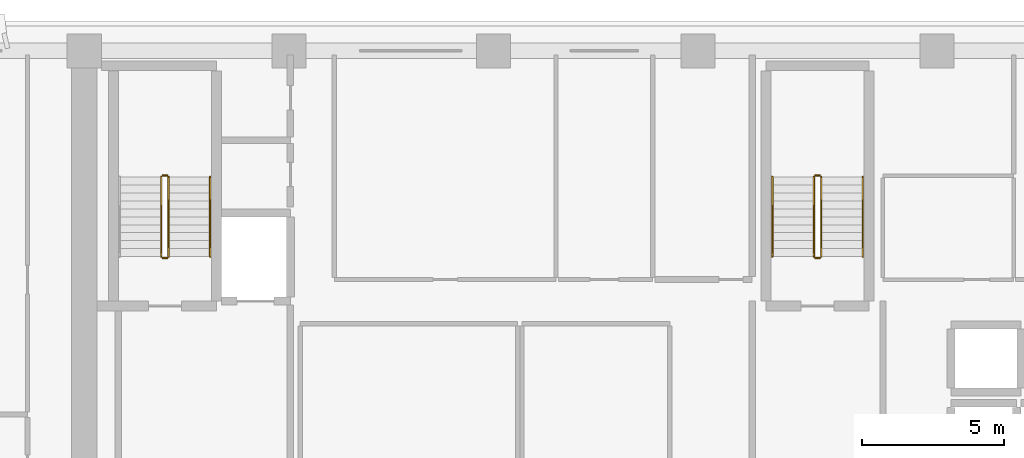
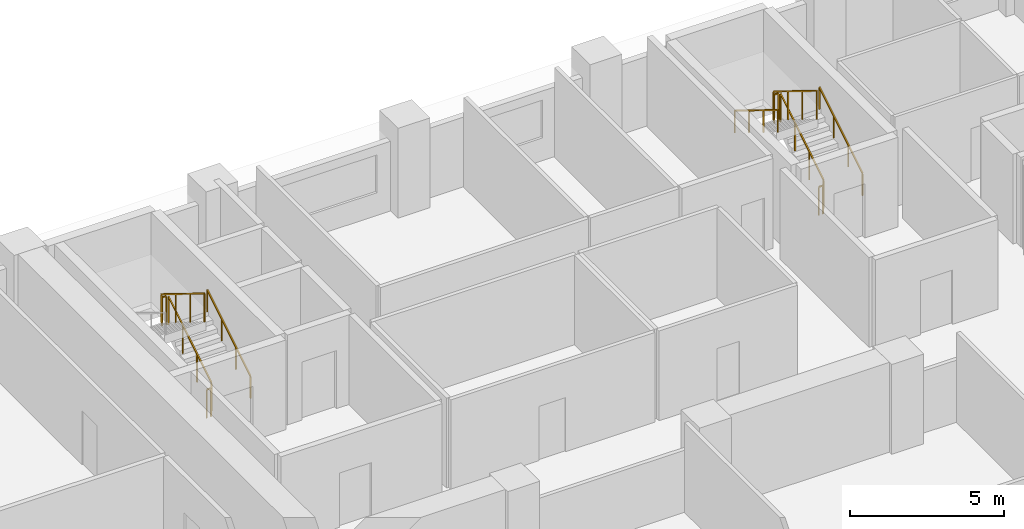
# One storey, part 12 of 14: 11 railings.
"""IFC4 building model written with IfcOpenShell, lengths in metres."""

import ifcopenshell
import ifcopenshell.guid

model = None  # the IFC model being written
_history = None  # IfcOwnerHistory: only IFC2X3 demands one
_inside = {}  # id of a spatial element -> (the spatial element, [elements in it])
_under = {}  # id of a project, library or spatial element -> (it, [spatial elements below it])
_declared = {}  # id of a project -> (the project, [libraries it declares])
_typed = {}  # id of a type object -> (the type object, [elements of that type])
_made_of = {}  # id of a material, layer set ... -> (it, [elements and type objects made of it])


def new_model(schema):
    """Start an empty IFC model of exactly this schema.

    Asked for "IFC4X3", IfcOpenShell would pick the latest addendum, in which some entities
    have other attributes; the version numbers below select the first issue.
    IFC2X3 requires an IfcOwnerHistory on every rooted entity: one is made here for all.
    """
    global model, _history
    if schema == "IFC4X3":
        model = ifcopenshell.file(schema_version=(4, 3, 0, 0))
    else:
        model = ifcopenshell.file(schema=schema)
    _inside.clear()
    _under.clear()
    _declared.clear()
    _typed.clear()
    _made_of.clear()
    _history = None
    if model.schema == "IFC2X3":
        org = make("IfcOrganization", Name="unknown")
        user = make(
            "IfcPersonAndOrganization",
            ThePerson=make("IfcPerson", FamilyName="unknown"),
            TheOrganization=org,
        )
        app = make(
            "IfcApplication",
            ApplicationDeveloper=org,
            Version="unknown",
            ApplicationFullName="unknown",
            ApplicationIdentifier="unknown",
        )
        _history = make(
            "IfcOwnerHistory",
            OwningUser=user,
            OwningApplication=app,
            ChangeAction="ADDED",
            CreationDate=0,
        )
    return model


def make(cls, **values):
    """One entity of the class cls with the attributes given. An attribute that is None is left unset."""
    return model.create_entity(
        cls, **{name: value for name, value in values.items() if value is not None}
    )


def rooted(cls, **values):
    """An entity with a GlobalId (a new one), such as an element, a storey or a relation."""
    return make(cls, GlobalId=ifcopenshell.guid.new(), OwnerHistory=_history, **values)


def si_unit(unit_type, name, prefix=None):
    """IfcSIUnit, for example si_unit("LENGTHUNIT", "METRE", prefix="MILLI")."""
    return make("IfcSIUnit", UnitType=unit_type, Prefix=prefix, Name=name)


def assignment(units):
    """IfcUnitAssignment: the units of a project."""
    return None if units is None else make("IfcUnitAssignment", Units=units)


def point(xyz):
    """IfcCartesianPoint."""
    return None if xyz is None else make("IfcCartesianPoint", Coordinates=xyz)


def direction(xyz):
    """IfcDirection."""
    return None if xyz is None else make("IfcDirection", DirectionRatios=xyz)


def frame(location, z_axis=None, x_axis=None):
    """IfcAxis2Placement3D, a coordinate frame: its origin and axes. An axis left out is left unset."""
    return make(
        "IfcAxis2Placement3D",
        Location=point(location),
        Axis=direction(z_axis),
        RefDirection=direction(x_axis),
    )


def frame_2d(location, x_axis=None):
    """IfcAxis2Placement2D, a coordinate frame in the plane: its origin and x axis."""
    return make(
        "IfcAxis2Placement2D", Location=point(location), RefDirection=direction(x_axis)
    )


def origin():
    """The frame at (0, 0, 0) with its axes left unset."""
    return frame((0.0, 0.0, 0.0))


def origin_2d():
    """The frame at (0, 0) in the plane with its x axis left unset."""
    return frame_2d((0.0, 0.0))


def place(relative_to, where):
    """IfcLocalPlacement: puts the frame where relative to a parent placement (None: the world)."""
    return make(
        "IfcLocalPlacement", PlacementRelTo=relative_to, RelativePlacement=where
    )


def context(
    kind, dimensions, precision=None, world=None, true_north=None, identifier=None
):
    """IfcGeometricRepresentationContext, for example the 3D "Model" context."""
    return make(
        "IfcGeometricRepresentationContext",
        ContextIdentifier=identifier,
        ContextType=kind,
        CoordinateSpaceDimension=dimensions,
        Precision=precision,
        WorldCoordinateSystem=world,
        TrueNorth=true_north,
    )


def subcontext(parent, identifier, kind, view, scale=None):
    """IfcGeometricRepresentationSubContext, for example "Body" below "Model"."""
    return make(
        "IfcGeometricRepresentationSubContext",
        ContextIdentifier=identifier,
        ContextType=kind,
        ParentContext=parent,
        TargetScale=scale,
        TargetView=view,
    )


def project(units=None, contexts=None):
    """IfcProject with its units and contexts."""
    return rooted(
        "IfcProject",
        Name="project",
        RepresentationContexts=contexts,
        UnitsInContext=assignment(units),
    )


def spatial(cls, under=None, at=None, **own):
    """A site, building, storey or space (cls), placed at a placement, below another one or the project."""
    s = rooted(cls, ObjectPlacement=at, **own)
    if under is not None:
        _under.setdefault(under.id(), (under, []))[1].append(s)
    return s


def profile(cls, at=None, kind="AREA", **sizes):
    """A parametric profile (cls). Its sizes go by their IFC names, for example OverallWidth=200.0."""
    return make(cls, ProfileType=kind, Position=at, **sizes)


def rectangle(**sizes):
    """IfcRectangleProfileDef."""
    return profile("IfcRectangleProfileDef", **sizes)


def extrude(swept, where, along, depth):
    """IfcExtrudedAreaSolid: the profile swept, set in the frame where, extruded along a direction by depth."""
    return make(
        "IfcExtrudedAreaSolid",
        SweptArea=swept,
        Position=where,
        ExtrudedDirection=direction(along),
        Depth=depth,
    )


def shape(context_of_items, identifier, shape_type, items):
    """IfcShapeRepresentation: the items that make up one representation, for example the "Body"."""
    return make(
        "IfcShapeRepresentation",
        ContextOfItems=context_of_items,
        RepresentationIdentifier=identifier,
        RepresentationType=shape_type,
        Items=items,
    )


def material(Name=None, Category=None):
    """IfcMaterial."""
    return make("IfcMaterial", Name=Name, Category=Category)


def made_of(thing, what):
    """Note that an element or type object is made of a material, layer set ...; save() writes the relation."""
    if what is not None:
        _made_of.setdefault(what.id(), (what, []))[1].append(thing)
    return thing


def type_object(cls, material=None, **own):
    """A type object (cls), such as IfcWallType, which elements share."""
    return made_of(rooted(cls, **own), material)


def element(
    cls,
    number,
    at=None,
    inside=None,
    cuts=None,
    type_object=None,
    material=None,
    context=None,
    identifier="Body",
    shape_type=None,
    held_by="IfcProductDefinitionShape",
    body=None,
    shapes=None,
    **own,
):
    """One element of the class cls, such as IfcWall. Its Tag is "e" and its number.

    at: its placement. inside: the storey or other place that contains it. cuts: it is an
    opening in that element (IfcRelVoidsElement). A single representation is given by context,
    identifier, shape_type and body (its items); several are given by shapes. held_by: the class
    of the entity that holds the representations. save() writes the other relations.
    """
    e = rooted(cls, Tag="e%d" % number, ObjectPlacement=at, **own)
    if body is not None:
        shapes = [shape(context, identifier, shape_type, body)]
    if shapes is not None:
        e.Representation = make(held_by, Representations=shapes)
    if inside is not None:
        _inside.setdefault(inside.id(), (inside, []))[1].append(e)
    if cuts is not None:
        rooted(
            "IfcRelVoidsElement", RelatingBuildingElement=cuts, RelatedOpeningElement=e
        )
    if type_object is not None:
        _typed.setdefault(type_object.id(), (type_object, []))[1].append(e)
    return made_of(e, material)


def aggregate(whole, parts):
    """IfcRelAggregates: a whole, such as a stair, and the parts it consists of."""
    return rooted("IfcRelAggregates", RelatingObject=whole, RelatedObjects=parts)


def save(model, path):
    """Write the relations noted so far, then the file.

    IfcRelAggregates (storeys below a building ...), IfcRelContainedInSpatialStructure (elements
    in a storey), IfcRelDefinesByType, IfcRelAssociatesMaterial and IfcRelDeclares: one each for
    every whole, place, type object, material and project.
    """
    for whole, parts in _under.values():
        aggregate(whole, parts)
    for where, things in _inside.values():
        rooted(
            "IfcRelContainedInSpatialStructure",
            RelatedElements=things,
            RelatingStructure=where,
        )
    for kind, things in _typed.values():
        rooted("IfcRelDefinesByType", RelatedObjects=things, RelatingType=kind)
    for what, things in _made_of.values():
        rooted("IfcRelAssociatesMaterial", RelatedObjects=things, RelatingMaterial=what)
    for by, libraries in _declared.values():
        rooted("IfcRelDeclares", RelatingContext=by, RelatedDefinitions=libraries)
    model.write(path)


model = new_model("IFC4")

# Units and contexts
model_context = context("Model", 3, precision=1e-05, world=origin(), true_north=direction((0.0, 1.0)))
body_context = subcontext(model_context, "Body", "Model", "MODEL_VIEW")
ifc_project = project(units=[si_unit("LENGTHUNIT", "METRE"), si_unit("AREAUNIT", "SQUARE_METRE"), si_unit("VOLUMEUNIT", "CUBIC_METRE"), si_unit("PLANEANGLEUNIT", "RADIAN"), si_unit("MASSUNIT", "GRAM", prefix="KILO")], contexts=[model_context])

# Site, building, storey
site_placement = place(None, origin())
site = spatial("IfcSite", under=ifc_project, at=site_placement, CompositionType="ELEMENT")
building_placement = place(site_placement, origin())
building = spatial("IfcBuilding", under=site, at=building_placement, Name="Kaelvorn Grand Hotel", CompositionType="ELEMENT")
storey_placement = place(building_placement, frame((0.0, 0.0, 161.949951171875)))
storey = spatial("IfcBuildingStorey", under=building, at=storey_placement, Name="L39", CompositionType="ELEMENT", Elevation=161.949951171875)

# Railings
ifc_material = material(Name="Stainless Steel", Category="steel")
railing_type_1 = type_object("IfcRailingType", Name="RL-HANDRAIL-900", PredefinedType="HANDRAIL", material=ifc_material)
for number, where, name in (
    (1, (20.6298828125, 41.760009765625, 0.1728515625), "L39 ST1 stair handrail 1"),
    (2, (43.590087890625, 41.760009765625, 0.1728515625), "L39 ST2 stair handrail 1"),
):
    element("IfcRailing", number, at=place(storey_placement, frame(where)), inside=storey, type_object=railing_type_1, Name=name, PredefinedType="HANDRAIL", context=body_context, shape_type="SweptSolid", body=[
        extrude(rectangle(XDim=0.048095703125, YDim=0.048095703125, at=origin_2d()), frame((0.0, 0.0, 0.8759765625), z_axis=(0.0, 0.851089632645, 0.525020415988), x_axis=(-1.0, 0.0, 0.0)), (0.0, 0.0, 1.0), 3.2900390625),
        extrude(rectangle(XDim=0.0419921875, YDim=0.0419921875, at=origin_2d()), origin(), (0.0, 0.0, 1.0), 0.851806640625),
        extrude(rectangle(XDim=0.0419921875, YDim=0.0419921875, at=origin_2d()), frame((0.0, 0.933349609375, 0.57568359375)), (0.0, 0.0, 1.0), 0.851806640625),
        extrude(rectangle(XDim=0.0419921875, YDim=0.0419921875, at=origin_2d()), frame((0.0, 1.86669921875, 1.151611328125)), (0.0, 0.0, 1.0), 0.851806640625),
        extrude(rectangle(XDim=0.0419921875, YDim=0.0419921875, at=origin_2d()), frame((0.0, 2.800048828125, 1.727294921875)), (0.0, 0.0, 1.0), 0.851806640625),
    ])
railing_1_placement = place(storey_placement, frame((40.409912109375, 44.56005859375, 2.07275390625)))
element("IfcRailing", 3, at=railing_1_placement, inside=storey, type_object=railing_type_1, Name="L39 ST2 stair handrail 2", PredefinedType="HANDRAIL", context=body_context, shape_type="SweptSolid", body=[
    extrude(rectangle(XDim=0.048095703125, YDim=0.048095703125, at=origin_2d()), frame((0.0, 0.0, 0.8759765625), z_axis=(0.0, -0.851089632645, 0.525020415988), x_axis=(1.0, 0.0, 0.0)), (0.0, 0.0, 1.0), 3.2900390625),
    extrude(rectangle(XDim=0.0419921875, YDim=0.0419921875, at=origin_2d()), origin(), (0.0, 0.0, 1.0), 0.851806640625),
    extrude(rectangle(XDim=0.0419921875, YDim=0.0419921875, at=origin_2d()), frame((0.0, -0.933349609375, 0.57568359375)), (0.0, 0.0, 1.0), 0.851806640625),
    extrude(rectangle(XDim=0.0419921875, YDim=0.0419921875, at=origin_2d()), frame((0.0, -1.86669921875, 1.151611328125)), (0.0, 0.0, 1.0), 0.851806640625),
    extrude(rectangle(XDim=0.0419921875, YDim=0.0419921875, at=origin_2d()), frame((0.0, -2.800048828125, 1.727294921875)), (0.0, 0.0, 1.0), 0.851806640625),
])
railing_type_2 = type_object("IfcRailingType", Name="RL-STAIR-GUARD-1150", PredefinedType="BALUSTRADE", material=ifc_material)
railing_2_placement = place(storey_placement, frame((19.169921875, 41.760009765625, 0.1728515625)))
element("IfcRailing", 4, at=railing_2_placement, inside=storey, type_object=railing_type_2, Name="L39 ST1 stair guard 1", PredefinedType="BALUSTRADE", context=body_context, shape_type="SweptSolid", body=[
    extrude(rectangle(XDim=0.048095703125, YDim=0.048095703125, at=origin_2d()), frame((0.0, 0.0, 1.1259765625), z_axis=(0.0, 0.851089632645, 0.525020415988), x_axis=(-1.0, 0.0, 0.0)), (0.0, 0.0, 1.0), 3.2900390625),
    extrude(rectangle(XDim=0.0419921875, YDim=0.0419921875, at=origin_2d()), origin(), (0.0, 0.0, 1.0), 1.101806640625),
    extrude(rectangle(XDim=0.0419921875, YDim=0.0419921875, at=origin_2d()), frame((0.0, 0.933349609375, 0.57568359375)), (0.0, 0.0, 1.0), 1.101806640625),
    extrude(rectangle(XDim=0.0419921875, YDim=0.0419921875, at=origin_2d()), frame((0.0, 1.86669921875, 1.151611328125)), (0.0, 0.0, 1.0), 1.101806640625),
    extrude(rectangle(XDim=0.0419921875, YDim=0.0419921875, at=origin_2d()), frame((0.0, 2.800048828125, 1.727294921875)), (0.0, 0.0, 1.0), 1.101806640625),
])
railing_3_placement = place(storey_placement, frame((19.1201171875, 44.610107421875, 1.900146484375)))
element("IfcRailing", 5, at=railing_3_placement, inside=storey, type_object=railing_type_2, Name="L39 ST1 stair guard 2", PredefinedType="BALUSTRADE", context=body_context, shape_type="SweptSolid", body=[
    extrude(rectangle(XDim=0.048095703125, YDim=0.048095703125, at=origin_2d()), frame((0.0, 0.0, 1.1259765625), z_axis=(-1.0, 0.0, 0.0), x_axis=(0.0, -1.0, 0.0)), (0.0, 0.0, 1.0), 0.16015625),
    extrude(rectangle(XDim=0.0419921875, YDim=0.0419921875, at=origin_2d()), origin(), (0.0, 0.0, 1.0), 1.101806640625),
    extrude(rectangle(XDim=0.0419921875, YDim=0.0419921875, at=origin_2d()), frame((-0.16015625, 0.0, 0.0)), (0.0, 0.0, 1.0), 1.101806640625),
])
railing_4_placement = place(storey_placement, frame((18.909912109375, 44.56005859375, 2.07275390625)))
element("IfcRailing", 6, at=railing_4_placement, inside=storey, type_object=railing_type_2, Name="L39 ST1 stair guard 3", PredefinedType="BALUSTRADE", context=body_context, shape_type="SweptSolid", body=[
    extrude(rectangle(XDim=0.048095703125, YDim=0.048095703125, at=origin_2d()), frame((0.0, 0.0, 1.1259765625), z_axis=(0.0, -0.851089632645, 0.525020415988), x_axis=(1.0, 0.0, 0.0)), (0.0, 0.0, 1.0), 3.2900390625),
    extrude(rectangle(XDim=0.0419921875, YDim=0.0419921875, at=origin_2d()), origin(), (0.0, 0.0, 1.0), 1.101806640625),
    extrude(rectangle(XDim=0.0419921875, YDim=0.0419921875, at=origin_2d()), frame((0.0, -0.933349609375, 0.57568359375)), (0.0, 0.0, 1.0), 1.101806640625),
    extrude(rectangle(XDim=0.0419921875, YDim=0.0419921875, at=origin_2d()), frame((0.0, -1.86669921875, 1.151611328125)), (0.0, 0.0, 1.0), 1.101806640625),
    extrude(rectangle(XDim=0.0419921875, YDim=0.0419921875, at=origin_2d()), frame((0.0, -2.800048828125, 1.727294921875)), (0.0, 0.0, 1.0), 1.101806640625),
])
railing_5_placement = place(storey_placement, frame((19.1201171875, 41.7099609375, 0.0)))
element("IfcRailing", 7, at=railing_5_placement, inside=storey, type_object=railing_type_2, Name="L39 ST1 stair guard 4", PredefinedType="BALUSTRADE", context=body_context, shape_type="SweptSolid", body=[
    extrude(rectangle(XDim=0.048095703125, YDim=0.048095703125, at=origin_2d()), frame((0.0, 0.0, 1.1259765625), z_axis=(-1.0, 0.0, 0.0), x_axis=(0.0, -1.0, 0.0)), (0.0, 0.0, 1.0), 0.16015625),
    extrude(rectangle(XDim=0.0419921875, YDim=0.0419921875, at=origin_2d()), origin(), (0.0, 0.0, 1.0), 1.101806640625),
    extrude(rectangle(XDim=0.0419921875, YDim=0.0419921875, at=origin_2d()), frame((-0.16015625, 0.0, 0.0)), (0.0, 0.0, 1.0), 1.101806640625),
])
railing_6_placement = place(storey_placement, frame((42.1298828125, 41.760009765625, 0.1728515625)))
element("IfcRailing", 8, at=railing_6_placement, inside=storey, type_object=railing_type_2, Name="L39 ST2 stair guard 1", PredefinedType="BALUSTRADE", context=body_context, shape_type="SweptSolid", body=[
    extrude(rectangle(XDim=0.048095703125, YDim=0.048095703125, at=origin_2d()), frame((0.0, 0.0, 1.1259765625), z_axis=(0.0, 0.851089632645, 0.525020415988), x_axis=(-1.0, 0.0, 0.0)), (0.0, 0.0, 1.0), 3.2900390625),
    extrude(rectangle(XDim=0.0419921875, YDim=0.0419921875, at=origin_2d()), origin(), (0.0, 0.0, 1.0), 1.101806640625),
    extrude(rectangle(XDim=0.0419921875, YDim=0.0419921875, at=origin_2d()), frame((0.0, 0.933349609375, 0.57568359375)), (0.0, 0.0, 1.0), 1.101806640625),
    extrude(rectangle(XDim=0.0419921875, YDim=0.0419921875, at=origin_2d()), frame((0.0, 1.86669921875, 1.151611328125)), (0.0, 0.0, 1.0), 1.101806640625),
    extrude(rectangle(XDim=0.0419921875, YDim=0.0419921875, at=origin_2d()), frame((0.0, 2.800048828125, 1.727294921875)), (0.0, 0.0, 1.0), 1.101806640625),
])
railing_7_placement = place(storey_placement, frame((42.080078125, 44.610107421875, 1.900146484375)))
element("IfcRailing", 9, at=railing_7_placement, inside=storey, type_object=railing_type_2, Name="L39 ST2 stair guard 2", PredefinedType="BALUSTRADE", context=body_context, shape_type="SweptSolid", body=[
    extrude(rectangle(XDim=0.048095703125, YDim=0.048095703125, at=origin_2d()), frame((0.0, 0.0, 1.1259765625), z_axis=(-1.0, 0.0, 0.0), x_axis=(0.0, -1.0, 0.0)), (0.0, 0.0, 1.0), 0.16015625),
    extrude(rectangle(XDim=0.0419921875, YDim=0.0419921875, at=origin_2d()), origin(), (0.0, 0.0, 1.0), 1.101806640625),
    extrude(rectangle(XDim=0.0419921875, YDim=0.0419921875, at=origin_2d()), frame((-0.16015625, 0.0, 0.0)), (0.0, 0.0, 1.0), 1.101806640625),
])
railing_8_placement = place(storey_placement, frame((41.8701171875, 44.56005859375, 2.07275390625)))
element("IfcRailing", 10, at=railing_8_placement, inside=storey, type_object=railing_type_2, Name="L39 ST2 stair guard 3", PredefinedType="BALUSTRADE", context=body_context, shape_type="SweptSolid", body=[
    extrude(rectangle(XDim=0.048095703125, YDim=0.048095703125, at=origin_2d()), frame((0.0, 0.0, 1.1259765625), z_axis=(0.0, -0.851089632645, 0.525020415988), x_axis=(1.0, 0.0, 0.0)), (0.0, 0.0, 1.0), 3.2900390625),
    extrude(rectangle(XDim=0.0419921875, YDim=0.0419921875, at=origin_2d()), origin(), (0.0, 0.0, 1.0), 1.101806640625),
    extrude(rectangle(XDim=0.0419921875, YDim=0.0419921875, at=origin_2d()), frame((0.0, -0.933349609375, 0.57568359375)), (0.0, 0.0, 1.0), 1.101806640625),
    extrude(rectangle(XDim=0.0419921875, YDim=0.0419921875, at=origin_2d()), frame((0.0, -1.86669921875, 1.151611328125)), (0.0, 0.0, 1.0), 1.101806640625),
    extrude(rectangle(XDim=0.0419921875, YDim=0.0419921875, at=origin_2d()), frame((0.0, -2.800048828125, 1.727294921875)), (0.0, 0.0, 1.0), 1.101806640625),
])
railing_9_placement = place(storey_placement, frame((42.080078125, 41.7099609375, 0.0)))
element("IfcRailing", 11, at=railing_9_placement, inside=storey, type_object=railing_type_2, Name="L39 ST2 stair guard 4", PredefinedType="BALUSTRADE", context=body_context, shape_type="SweptSolid", body=[
    extrude(rectangle(XDim=0.048095703125, YDim=0.048095703125, at=origin_2d()), frame((0.0, 0.0, 1.1259765625), z_axis=(-1.0, 0.0, 0.0), x_axis=(0.0, -1.0, 0.0)), (0.0, 0.0, 1.0), 0.16015625),
    extrude(rectangle(XDim=0.0419921875, YDim=0.0419921875, at=origin_2d()), origin(), (0.0, 0.0, 1.0), 1.101806640625),
    extrude(rectangle(XDim=0.0419921875, YDim=0.0419921875, at=origin_2d()), frame((-0.16015625, 0.0, 0.0)), (0.0, 0.0, 1.0), 1.101806640625),
])

save(model, "model.ifc")
